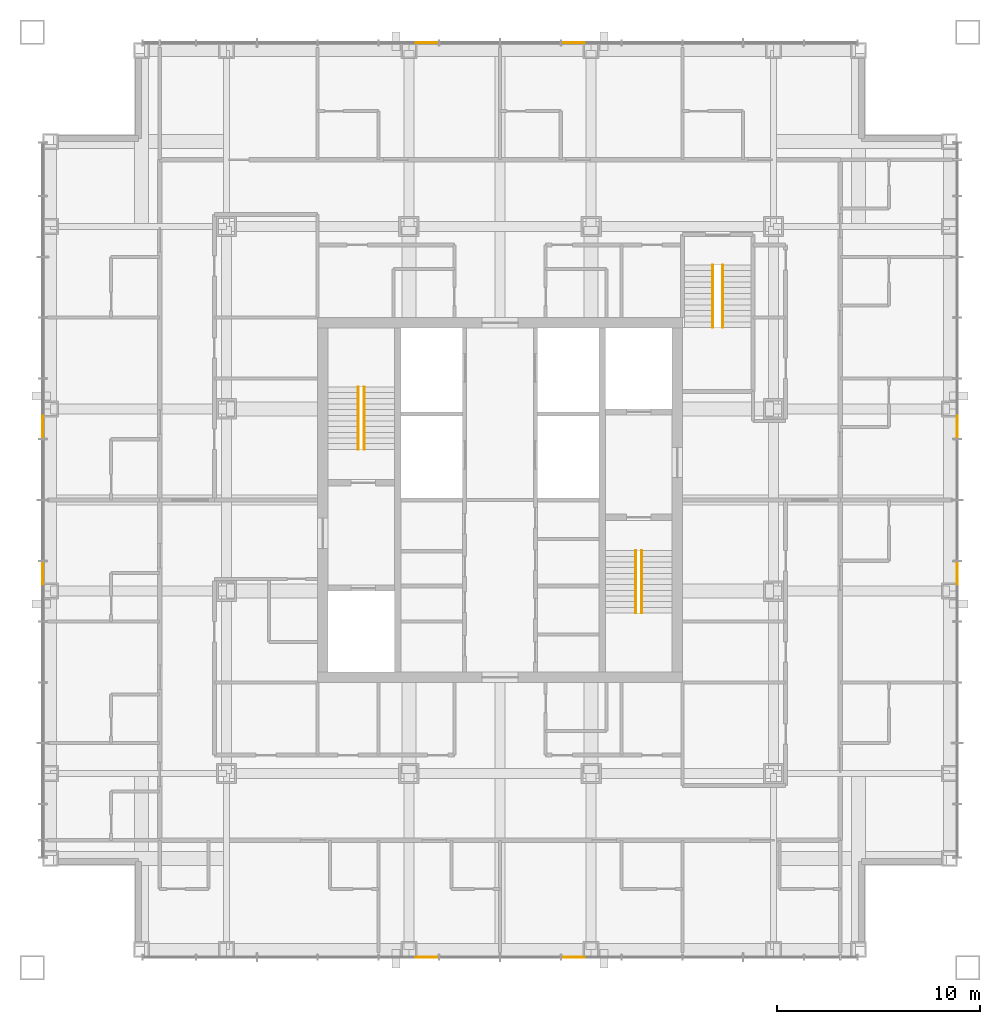
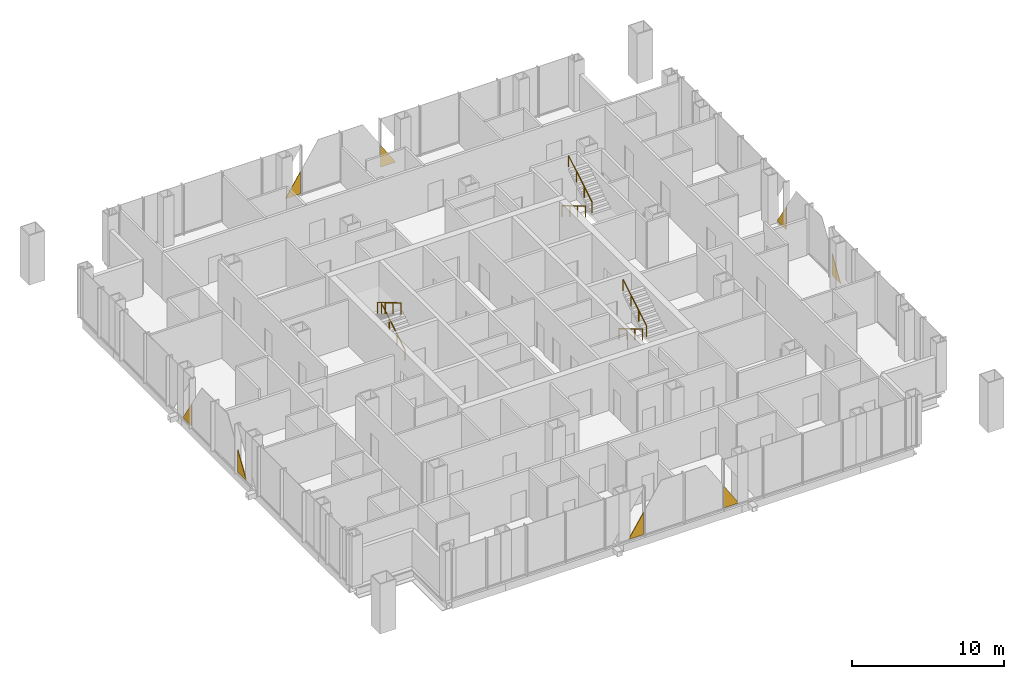
# One storey, part 13 of 17: 8 coverings, 6 railings.
"""IFC4 building model written with IfcOpenShell, lengths in metres."""

from ifc_helpers import new_model, si_unit, direction, frame, origin, origin_2d, place, context, subcontext, project, spatial, polyline, circle, outline, extrude, material, layer, layer_set, type_object, element, save


model = new_model("IFC4")

# Units and contexts
model_context = context("Model", 3, precision=1e-05, world=origin(), true_north=direction((0.0, 1.0)))
body_context = subcontext(model_context, "Body", "Model", "MODEL_VIEW")
ifc_project = project(units=[si_unit("LENGTHUNIT", "METRE"), si_unit("AREAUNIT", "SQUARE_METRE"), si_unit("VOLUMEUNIT", "CUBIC_METRE"), si_unit("PLANEANGLEUNIT", "RADIAN"), si_unit("MASSUNIT", "GRAM", prefix="KILO")], contexts=[model_context])

# Site, building, storey
site_placement = place(None, origin())
site = spatial("IfcSite", under=ifc_project, at=site_placement, CompositionType="ELEMENT")
building_placement = place(site_placement, origin())
building = spatial("IfcBuilding", under=site, at=building_placement, Name="Malebo Sky Hospital", CompositionType="ELEMENT")
storey_placement = place(building_placement, frame((0.0, 0.0, 237.0)))
storey = spatial("IfcBuildingStorey", under=building, at=storey_placement, Name="L57", CompositionType="ELEMENT", Elevation=237.0)

# Coverings
ifc_material_1 = material(Name="Anodised aluminium, natural silver insulated infill panel", Category="aluminium")
ifc_layer = layer(ifc_material_1, 0.0400390625)
ifc_layer_set = layer_set([ifc_layer], Name="BRACE INFILL PANEL 40")
covering_type = type_object("IfcCoveringType", Name="BRACE INFILL PANEL 40", PredefinedType="CLADDING", material=ifc_layer_set)
covering_1_placement = place(storey_placement, frame((56.38720703125, 84.574951171875, 0.10009765625), z_axis=(0.0, 0.0, 1.0), x_axis=(1.0, 0.0, 0.0)))
element("IfcCovering", 1, at=covering_1_placement, inside=storey, type_object=covering_type, Name="Brace infill panel 6.1", PredefinedType="CLADDING", context=body_context, shape_type="SweptSolid", body=[
    extrude(outline(polyline([(-0.5751953125, 0.0), (0.575439453125, 0.0), (0.575439453125, 1.793212890625), (-0.5751953125, 0.0)])), frame((0.0, 0.02001953125, 0.0), z_axis=(0.0, -1.0, 0.0), x_axis=(1.0, 0.0, 0.0)), (0.0, 0.0, 1.0), 0.0400390625),
])
covering_2_placement = place(storey_placement, frame((63.61279296875, 84.574951171875, 0.10009765625), z_axis=(0.0, 0.0, 1.0), x_axis=(1.0, 0.0, 0.0)))
element("IfcCovering", 2, at=covering_2_placement, inside=storey, type_object=covering_type, Name="Brace infill panel 9.1", PredefinedType="CLADDING", context=body_context, shape_type="SweptSolid", body=[
    extrude(outline(polyline([(-0.575439453125, 0.0), (0.5751953125, 0.0), (-0.575439453125, 1.793212890625), (-0.575439453125, 0.0)])), frame((0.0, 0.02001953125, 0.0), z_axis=(0.0, -1.0, 0.0), x_axis=(1.0, 0.0, 0.0)), (0.0, 0.0, 1.0), 0.0400390625),
])
covering_3_placement = place(storey_placement, frame((37.425048828125, 58.38720703125, 0.10009765625), z_axis=(0.0, 0.0, 1.0), x_axis=(0.0, 1.0, 0.0)))
element("IfcCovering", 3, at=covering_3_placement, inside=storey, type_object=covering_type, Name="Brace infill panel 6.1", PredefinedType="CLADDING", context=body_context, shape_type="SweptSolid", body=[
    extrude(outline(polyline([(-0.5751953125, 0.0), (0.575439453125, 0.0), (0.575439453125, 1.793212890625), (-0.5751953125, 0.0)])), frame((0.0, 0.02001953125, 0.0), z_axis=(0.0, -1.0, 0.0), x_axis=(1.0, 0.0, 0.0)), (0.0, 0.0, 1.0), 0.0400390625),
])
covering_4_placement = place(storey_placement, frame((37.425048828125, 65.61279296875, 0.10009765625), z_axis=(0.0, 0.0, 1.0), x_axis=(0.0, 1.0, 0.0)))
element("IfcCovering", 4, at=covering_4_placement, inside=storey, type_object=covering_type, Name="Brace infill panel 9.1", PredefinedType="CLADDING", context=body_context, shape_type="SweptSolid", body=[
    extrude(outline(polyline([(-0.575439453125, 0.0), (0.5751953125, 0.0), (-0.575439453125, 1.793212890625), (-0.575439453125, 0.0)])), frame((0.0, 0.02001953125, 0.0), z_axis=(0.0, -1.0, 0.0), x_axis=(1.0, 0.0, 0.0)), (0.0, 0.0, 1.0), 0.0400390625),
])
covering_5_placement = place(storey_placement, frame((63.61279296875, 39.425048828125, 0.10009765625), z_axis=(0.0, 0.0, 1.0), x_axis=(-1.0, 0.0, 0.0)))
element("IfcCovering", 5, at=covering_5_placement, inside=storey, type_object=covering_type, Name="Brace infill panel 6.1", PredefinedType="CLADDING", context=body_context, shape_type="SweptSolid", body=[
    extrude(outline(polyline([(-0.5751953125, 0.0), (0.575439453125, 0.0), (0.575439453125, 1.793212890625), (-0.5751953125, 0.0)])), frame((0.0, 0.02001953125, 0.0), z_axis=(0.0, -1.0, 0.0), x_axis=(1.0, 0.0, 0.0)), (0.0, 0.0, 1.0), 0.0400390625),
])
covering_6_placement = place(storey_placement, frame((56.38720703125, 39.425048828125, 0.10009765625), z_axis=(0.0, 0.0, 1.0), x_axis=(-1.0, 0.0, 0.0)))
element("IfcCovering", 6, at=covering_6_placement, inside=storey, type_object=covering_type, Name="Brace infill panel 9.1", PredefinedType="CLADDING", context=body_context, shape_type="SweptSolid", body=[
    extrude(outline(polyline([(-0.575439453125, 0.0), (0.5751953125, 0.0), (-0.575439453125, 1.793212890625), (-0.575439453125, 0.0)])), frame((0.0, 0.02001953125, 0.0), z_axis=(0.0, -1.0, 0.0), x_axis=(1.0, 0.0, 0.0)), (0.0, 0.0, 1.0), 0.0400390625),
])
covering_7_placement = place(storey_placement, frame((82.574951171875, 65.61279296875, 0.10009765625), z_axis=(0.0, 0.0, 1.0), x_axis=(0.0, -1.0, 0.0)))
element("IfcCovering", 7, at=covering_7_placement, inside=storey, type_object=covering_type, Name="Brace infill panel 6.1", PredefinedType="CLADDING", context=body_context, shape_type="SweptSolid", body=[
    extrude(outline(polyline([(-0.5751953125, 0.0), (0.575439453125, 0.0), (0.575439453125, 1.793212890625), (-0.5751953125, 0.0)])), frame((0.0, 0.02001953125, 0.0), z_axis=(0.0, -1.0, 0.0), x_axis=(1.0, 0.0, 0.0)), (0.0, 0.0, 1.0), 0.0400390625),
])
covering_8_placement = place(storey_placement, frame((82.574951171875, 58.38720703125, 0.10009765625), z_axis=(0.0, 0.0, 1.0), x_axis=(0.0, -1.0, 0.0)))
element("IfcCovering", 8, at=covering_8_placement, inside=storey, type_object=covering_type, Name="Brace infill panel 9.1", PredefinedType="CLADDING", context=body_context, shape_type="SweptSolid", body=[
    extrude(outline(polyline([(-0.575439453125, 0.0), (0.5751953125, 0.0), (-0.575439453125, 1.793212890625), (-0.575439453125, 0.0)])), frame((0.0, 0.02001953125, 0.0), z_axis=(0.0, -1.0, 0.0), x_axis=(1.0, 0.0, 0.0)), (0.0, 0.0, 1.0), 0.0400390625),
])

# Railings
ifc_material_2 = material(Name="Stainless steel tube", Category="steel")
railing_type = type_object("IfcRailingType", Name="STAIR HANDRAIL 900", PredefinedType="HANDRAIL", material=ifc_material_2)
railing_1_placement = place(storey_placement, frame((53.300048828125, 64.5, 0.166748046875)))
element("IfcRailing", 9, at=railing_1_placement, inside=storey, type_object=railing_type, Name="Stair handrail S1 flight 1", PredefinedType="HANDRAIL", context=body_context, shape_type="SweptSolid", body=[
    extrude(circle(Radius=0.02392578125, at=origin_2d()), frame((0.0, 0.0, 0.8759765625), z_axis=(0.0, 0.859308565015, 0.511457515432), x_axis=(-1.0, 0.0, 0.0)), (0.0, 0.0, 1.0), 3.58447265625),
    extrude(circle(Radius=0.02099609375, at=origin_2d()), origin(), (0.0, 0.0, 1.0), 0.851806640625),
    extrude(circle(Radius=0.02099609375, at=origin_2d()), frame((0.0, 1.026611328125, 0.611083984375)), (0.0, 0.0, 1.0), 0.851806640625),
    extrude(circle(Radius=0.02099609375, at=origin_2d()), frame((0.0, 2.053466796875, 1.22216796875)), (0.0, 0.0, 1.0), 0.851806640625),
    extrude(circle(Radius=0.02099609375, at=origin_2d()), frame((0.0, 3.080078125, 1.833251953125)), (0.0, 0.0, 1.0), 0.851806640625),
])
for number, where, name in (
    (10, (53.0, 67.580078125, 2.166748046875), "Stair handrail S1 flight 2"),
    (11, (66.699951171875, 59.5, 0.166748046875), "Stair handrail S2 flight 1"),
):
    element("IfcRailing", number, at=place(storey_placement, frame(where)), inside=storey, type_object=railing_type, Name=name, PredefinedType="HANDRAIL", context=body_context, shape_type="SweptSolid", body=[
        extrude(circle(Radius=0.02392578125, at=origin_2d()), frame((0.0, 0.0, 0.8759765625), z_axis=(0.0, -0.859308565015, 0.511457515432), x_axis=(1.0, 0.0, 0.0)), (0.0, 0.0, 1.0), 3.58447265625),
        extrude(circle(Radius=0.02099609375, at=origin_2d()), origin(), (0.0, 0.0, 1.0), 0.851806640625),
        extrude(circle(Radius=0.02099609375, at=origin_2d()), frame((0.0, -1.026611328125, 0.611083984375)), (0.0, 0.0, 1.0), 0.851806640625),
        extrude(circle(Radius=0.02099609375, at=origin_2d()), frame((0.0, -2.053466796875, 1.22216796875)), (0.0, 0.0, 1.0), 0.851806640625),
        extrude(circle(Radius=0.02099609375, at=origin_2d()), frame((0.0, -3.080078125, 1.833251953125)), (0.0, 0.0, 1.0), 0.851806640625),
    ])
railing_2_placement = place(storey_placement, frame((67.0, 56.419921875, 2.166748046875)))
element("IfcRailing", 12, at=railing_2_placement, inside=storey, type_object=railing_type, Name="Stair handrail S2 flight 2", PredefinedType="HANDRAIL", context=body_context, shape_type="SweptSolid", body=[
    extrude(circle(Radius=0.02392578125, at=origin_2d()), frame((0.0, 0.0, 0.8759765625), z_axis=(0.0, 0.859308565015, 0.511457515432), x_axis=(-1.0, 0.0, 0.0)), (0.0, 0.0, 1.0), 3.58447265625),
    extrude(circle(Radius=0.02099609375, at=origin_2d()), origin(), (0.0, 0.0, 1.0), 0.851806640625),
    extrude(circle(Radius=0.02099609375, at=origin_2d()), frame((0.0, 1.026611328125, 0.611083984375)), (0.0, 0.0, 1.0), 0.851806640625),
    extrude(circle(Radius=0.02099609375, at=origin_2d()), frame((0.0, 2.053466796875, 1.22216796875)), (0.0, 0.0, 1.0), 0.851806640625),
    extrude(circle(Radius=0.02099609375, at=origin_2d()), frame((0.0, 3.080078125, 1.833251953125)), (0.0, 0.0, 1.0), 0.851806640625),
])
railing_3_placement = place(storey_placement, frame((70.5, 73.60009765625, 0.166748046875)))
element("IfcRailing", 13, at=railing_3_placement, inside=storey, type_object=railing_type, Name="Stair handrail S3 flight 1", PredefinedType="HANDRAIL", context=body_context, shape_type="SweptSolid", body=[
    extrude(circle(Radius=0.02392578125, at=origin_2d()), frame((0.0, 0.0, 0.8759765625), z_axis=(0.0, -0.859308565015, 0.511457515432), x_axis=(1.0, 0.0, 0.0)), (0.0, 0.0, 1.0), 3.58447265625),
    extrude(circle(Radius=0.02099609375, at=origin_2d()), origin(), (0.0, 0.0, 1.0), 0.851806640625),
    extrude(circle(Radius=0.02099609375, at=origin_2d()), frame((0.0, -1.026611328125, 0.611083984375)), (0.0, 0.0, 1.0), 0.851806640625),
    extrude(circle(Radius=0.02099609375, at=origin_2d()), frame((0.0, -2.053466796875, 1.22216796875)), (0.0, 0.0, 1.0), 0.851806640625),
    extrude(circle(Radius=0.02099609375, at=origin_2d()), frame((0.0, -3.080078125, 1.833251953125)), (0.0, 0.0, 1.0), 0.851806640625),
])
railing_4_placement = place(storey_placement, frame((71.0, 70.52001953125, 2.166748046875)))
element("IfcRailing", 14, at=railing_4_placement, inside=storey, type_object=railing_type, Name="Stair handrail S3 flight 2", PredefinedType="HANDRAIL", context=body_context, shape_type="SweptSolid", body=[
    extrude(circle(Radius=0.02392578125, at=origin_2d()), frame((0.0, 0.0, 0.8759765625), z_axis=(0.0, 0.859308565015, 0.511457515432), x_axis=(-1.0, 0.0, 0.0)), (0.0, 0.0, 1.0), 3.58447265625),
    extrude(circle(Radius=0.02099609375, at=origin_2d()), origin(), (0.0, 0.0, 1.0), 0.851806640625),
    extrude(circle(Radius=0.02099609375, at=origin_2d()), frame((0.0, 1.026611328125, 0.611083984375)), (0.0, 0.0, 1.0), 0.851806640625),
    extrude(circle(Radius=0.02099609375, at=origin_2d()), frame((0.0, 2.053466796875, 1.22216796875)), (0.0, 0.0, 1.0), 0.851806640625),
    extrude(circle(Radius=0.02099609375, at=origin_2d()), frame((0.0, 3.080078125, 1.833251953125)), (0.0, 0.0, 1.0), 0.851806640625),
])

save(model, "model.ifc")
